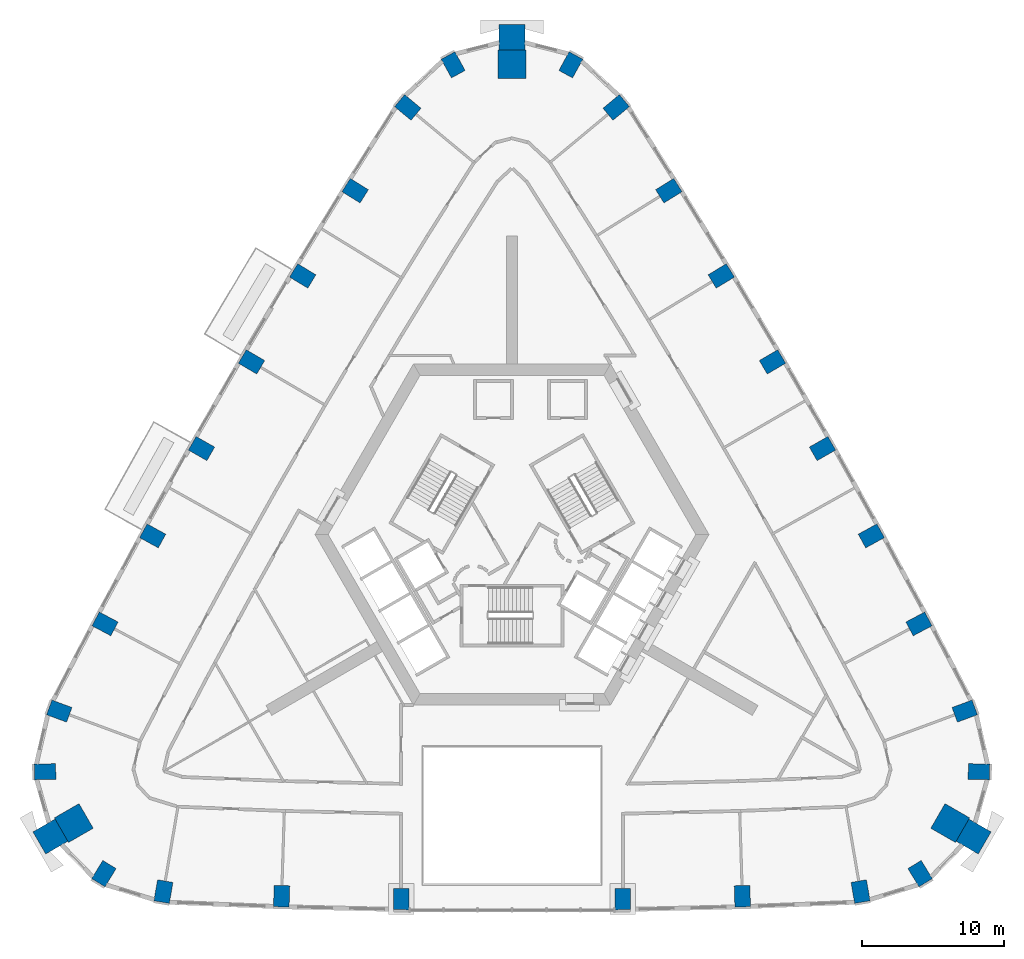
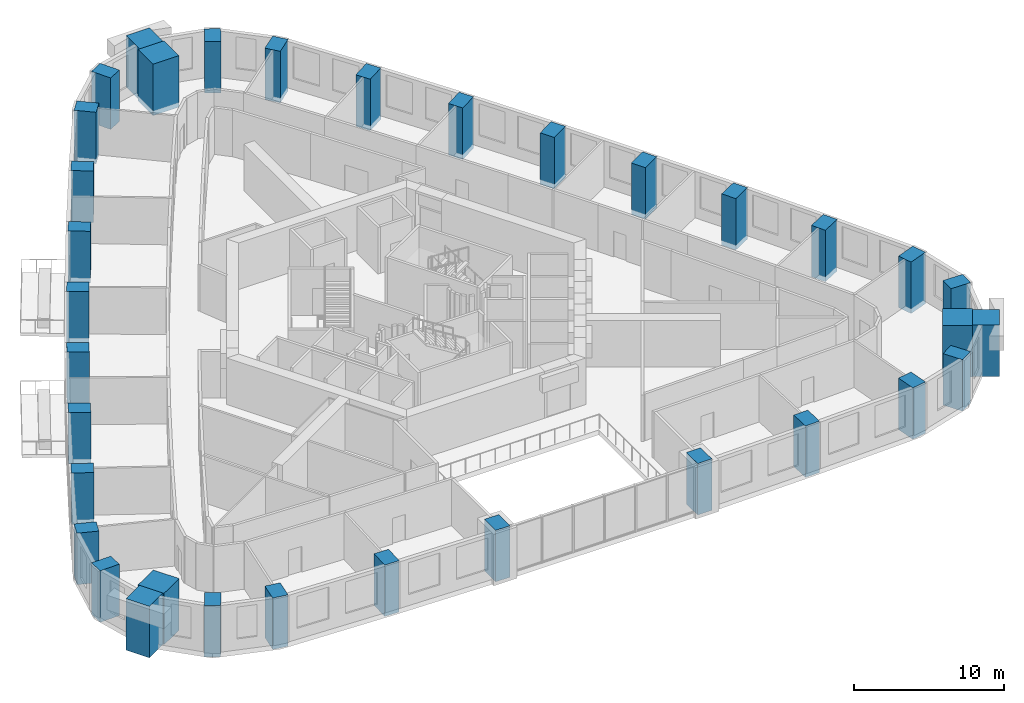
# One storey, part 1 of 14: 34 columns.
"""IFC4 building model written with IfcOpenShell, lengths in metres."""

from ifc_helpers import new_model, si_unit, direction, frame, origin, origin_2d, place, context, subcontext, project, spatial, rectangle, extrude, material, material_profile, profile_set, type_object, element, save


model = new_model("IFC4")

# Units and contexts
model_context = context("Model", 3, precision=1e-05, world=origin(), true_north=direction((0.0, 1.0)))
body_context = subcontext(model_context, "Body", "Model", "MODEL_VIEW")
ifc_project = project(units=[si_unit("LENGTHUNIT", "METRE"), si_unit("AREAUNIT", "SQUARE_METRE"), si_unit("VOLUMEUNIT", "CUBIC_METRE"), si_unit("PLANEANGLEUNIT", "RADIAN"), si_unit("MASSUNIT", "GRAM", prefix="KILO")], contexts=[model_context])

# Site, building, storey
site_placement = place(None, origin())
site = spatial("IfcSite", under=ifc_project, at=site_placement, CompositionType="ELEMENT")
building_placement = place(site_placement, origin())
building = spatial("IfcBuilding", under=site, at=building_placement, Name="Entoto Arch Interchange Tower", CompositionType="ELEMENT")
storey_placement = place(building_placement, frame((0.0, 0.0, 146.60009765625)))
storey = spatial("IfcBuildingStorey", under=building, at=storey_placement, Name="L32", CompositionType="ELEMENT", Elevation=146.60009765625)

# Columns
ifc_material_1 = material(Name="Concrete C50/60", Category="concrete")
ifc_material_profile_1 = material_profile(ifc_material_1, rectangle(XDim=1.10009765625, YDim=1.5, at=origin_2d()))
ifc_profile_set_1 = profile_set([ifc_material_profile_1], Name="Concrete C50/60")
column_type_1 = type_object("IfcColumnType", Name="Column RC 1100x1500 C50/60", PredefinedType="COLUMN", material=ifc_profile_set_1)
for number, where, z_axis, x_axis, name in (
    (1, (-24.51806640625, -22.617919921875, -0.400146484375), (0.0, 0.0, 1.0), (-0.985753417505, 0.168196908046, 0.0), "Column S01 L32"),
    (2, (-16.205078125, -22.94189453125, -0.400146484375), (0.0, 0.0, 1.0), (-0.999496089207, 0.031742206272, 0.0), "Column S02 L32"),
    (3, (-7.7890625, -23.14111328125, -0.400146484375), (0.0, 0.0, 1.0), (-0.999931015761, 0.011745795767, 0.0), "Column S03 L32"),
    (4, (7.7890625, -23.14111328125, -0.400146484375), (0.0, 0.0, 1.0), (0.999931015761, 0.011745795767, 0.0), "Column S04 L32"),
    (5, (16.205078125, -22.94189453125, -0.400146484375), (0.0, 0.0, 1.0), (0.999496089207, 0.031742206272, 0.0), "Column S05 L32"),
    (6, (24.51806640625, -22.617919921875, -0.400146484375), (0.0, 0.0, 1.0), (0.985753417505, 0.168196908046, 0.0), "Column S06 L32"),
    (7, (28.70703125, -21.35205078125, -0.400146484375), (0.0, 0.0, 1.0), (0.853714435155, 0.520741455243, 0.0), "Column SE1 L32"),
    (8, (32.844970703125, -14.18505859375, -0.400146484375), (0.0, 0.0, 1.0), (0.024118111467, 0.999709116043, 0.0), "Column SE3 L32"),
    (9, (31.845947265625, -9.923095703125, -0.400146484375), (0.0, 0.0, 1.0), (-0.346591874029, 0.93801603017, 0.0), "Column NE01 L32"),
    (10, (28.6259765625, -3.7880859375, -0.400146484375), (0.0, 0.0, 1.0), (-0.469856776649, 0.882742663202, 0.0), "Column NE02 L32"),
    (11, (25.27490234375, 2.403076171875, -0.400146484375), (0.0, 0.0, 1.0), (-0.481983074142, 0.876180527198, 0.0), "Column NE03 L32"),
    (12, (21.840087890625, 8.5458984375, -0.400146484375), (0.0, 0.0, 1.0), (-0.49401774245, 0.869451821635, 0.0), "Column NE04 L32"),
    (13, (18.322021484375, 14.64208984375, -0.400146484375), (0.0, 0.0, 1.0), (-0.505958493678, 0.8625578257, 0.0), "Column NE05 L32"),
    (14, (14.718994140625, 20.68798828125, -0.400146484375), (0.0, 0.0, 1.0), (-0.517803057784, 0.85549985, 0.0), "Column NE06 L32"),
    (15, (11.032958984375, 26.68408203125, -0.400146484375), (0.0, 0.0, 1.0), (-0.529549183013, 0.848279236319, 0.0), "Column NE07 L32"),
    (16, (7.3291015625, 32.541015625, -0.400146484375), (0.0, 0.0, 1.0), (-0.63904977427, 0.76916538274, 0.0), "Column NE08 L32"),
    (17, (4.137939453125, 35.537109375, -0.400146484375), (0.0, 0.0, 1.0), (-0.877832546621, 0.4789676608, 0.0), "Column N1 L32"),
    (18, (-4.137939453125, 35.537109375, -0.400146484375), (0.0, 0.0, 1.0), (0.877832546621, 0.4789676608, 0.0), "Column N3 L32"),
    (19, (-7.3291015625, 32.541015625, -0.400146484375), (0.0, 0.0, 1.0), (0.63904977427, 0.76916538274, 0.0), "Column NW01 L32"),
    (20, (-11.032958984375, 26.68408203125, -0.400146484375), (0.0, 0.0, 1.0), (0.529549183013, 0.848279236319, 0.0), "Column NW02 L32"),
    (21, (-14.718994140625, 20.68798828125, -0.400146484375), (0.0, 0.0, 1.0), (0.517803057784, 0.85549985, 0.0), "Column NW03 L32"),
    (22, (-18.322021484375, 14.64208984375, -0.400146484375), (0.0, 0.0, 1.0), (0.505958493678, 0.8625578257, 0.0), "Column NW04 L32"),
    (23, (-21.840087890625, 8.5458984375, -0.400146484375), (0.0, 0.0, 1.0), (0.49401774245, 0.869451821635, 0.0), "Column NW05 L32"),
    (24, (-25.27490234375, 2.403076171875, -0.400146484375), (0.0, 0.0, 1.0), (0.481983074142, 0.876180527198, 0.0), "Column NW06 L32"),
    (25, (-28.6259765625, -3.7880859375, -0.400146484375), (0.0, 0.0, 1.0), (0.469856776649, 0.882742663202, 0.0), "Column NW07 L32"),
    (26, (-31.845947265625, -9.923095703125, -0.400146484375), (0.0, 0.0, 1.0), (0.346591874029, 0.93801603017, 0.0), "Column NW08 L32"),
    (27, (-32.844970703125, -14.18505859375, -0.400146484375), (0.0, 0.0, 1.0), (-0.024118111467, 0.999709116043, 0.0), "Column SW1 L32"),
    (28, (-28.70703125, -21.35205078125, -0.400146484375), (0.0, 0.0, 1.0), (-0.853714435155, 0.520741455243, 0.0), "Column SW3 L32"),
):
    element("IfcColumn", number, at=place(storey_placement, frame(where, z_axis=z_axis, x_axis=x_axis)), inside=storey, type_object=column_type_1, Name=name, PredefinedType="COLUMN", context=body_context, shape_type="SweptSolid", body=[
        extrude(rectangle(XDim=1.10009765625, YDim=1.5, at=origin_2d()), origin(), (0.0, 0.0, 1.0), 4.199951171875),
    ])
ifc_material_2 = material(Name="Precast concrete C40/50", Category="concrete")
ifc_material_profile_2 = material_profile(ifc_material_2, rectangle(XDim=1.800048828125, YDim=1.800048828125, at=origin_2d()))
ifc_profile_set_2 = profile_set([ifc_material_profile_2], Name="Precast concrete C40/50")
column_type_2 = type_object("IfcColumnType", Name="Frame post RC 1800x1800 precast C40/50", PredefinedType="COLUMN", material=ifc_profile_set_2)
for number, where, z_axis, x_axis, name in (
    (29, (32.469970703125, -18.74609375, -0.400146484375), (0.0, 0.0, 1.0), (-0.866025403784, 0.5, 0.0), "Frame post SE L32"),
    (30, (0.0, 37.492919921875, -0.400146484375), (0.0, 0.0, 1.0), (0.0, 1.0, 0.0), "Frame post N L32"),
    (31, (-32.469970703125, -18.74609375, -0.400146484375), (0.0, 0.0, 1.0), (0.866025403784, 0.5, 0.0), "Frame post SW L32"),
):
    element("IfcColumn", number, at=place(storey_placement, frame(where, z_axis=z_axis, x_axis=x_axis)), inside=storey, type_object=column_type_2, Name=name, PredefinedType="COLUMN", context=body_context, shape_type="SweptSolid", body=[
        extrude(rectangle(XDim=1.800048828125, YDim=1.800048828125, at=origin_2d()), origin(), (0.0, 0.0, 1.0), 4.199951171875),
    ])
ifc_material_profile_3 = material_profile(ifc_material_1, rectangle(XDim=2.0, YDim=2.0, at=origin_2d()))
ifc_profile_set_3 = profile_set([ifc_material_profile_3], Name="Concrete C50/60")
column_type_3 = type_object("IfcColumnType", Name="Mega column RC 2000x2000 C50/60", PredefinedType="COLUMN", material=ifc_profile_set_3)
for number, where, z_axis, x_axis, name in (
    (32, (30.824951171875, -17.7958984375, -0.400146484375), (0.0, 0.0, 1.0), (-0.866025403784, 0.5, 0.0), "Corner mega column SE2 L32"),
    (33, (0.0, 35.593017578125, -0.400146484375), (0.0, 0.0, 1.0), (0.0, 1.0, 0.0), "Corner mega column N2 L32"),
    (34, (-30.824951171875, -17.7958984375, -0.400146484375), (0.0, 0.0, 1.0), (0.866025403784, 0.5, 0.0), "Corner mega column SW2 L32"),
):
    element("IfcColumn", number, at=place(storey_placement, frame(where, z_axis=z_axis, x_axis=x_axis)), inside=storey, type_object=column_type_3, Name=name, PredefinedType="COLUMN", context=body_context, shape_type="SweptSolid", body=[
        extrude(rectangle(XDim=2.0, YDim=2.0, at=origin_2d()), origin(), (0.0, 0.0, 1.0), 4.199951171875),
    ])

save(model, "model.ifc")
